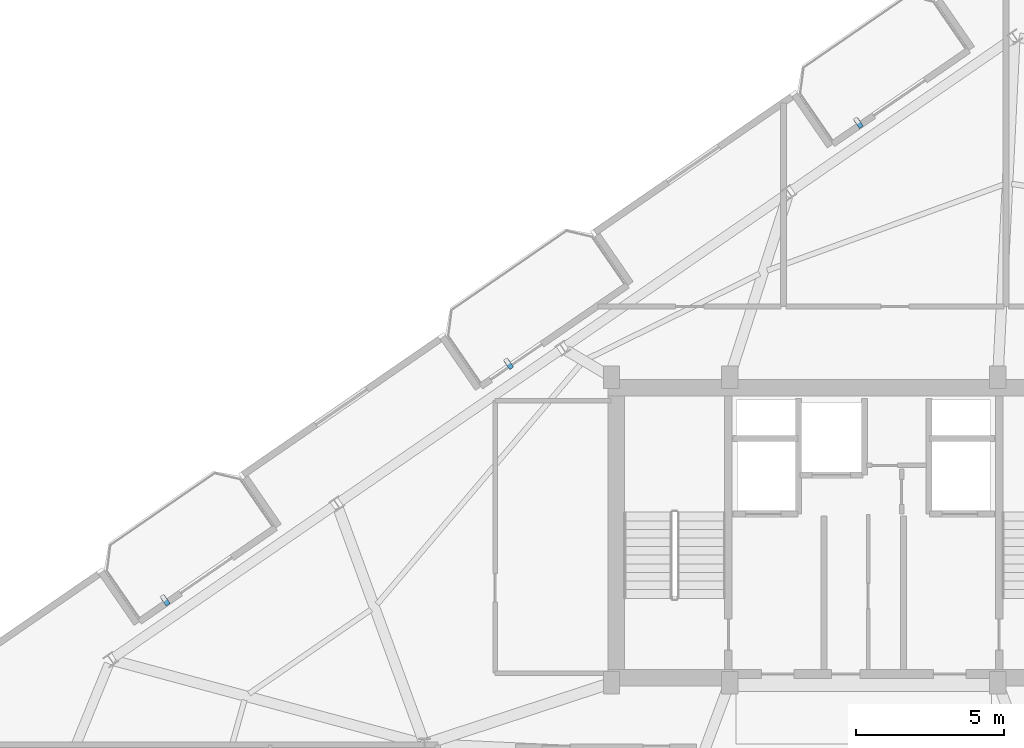
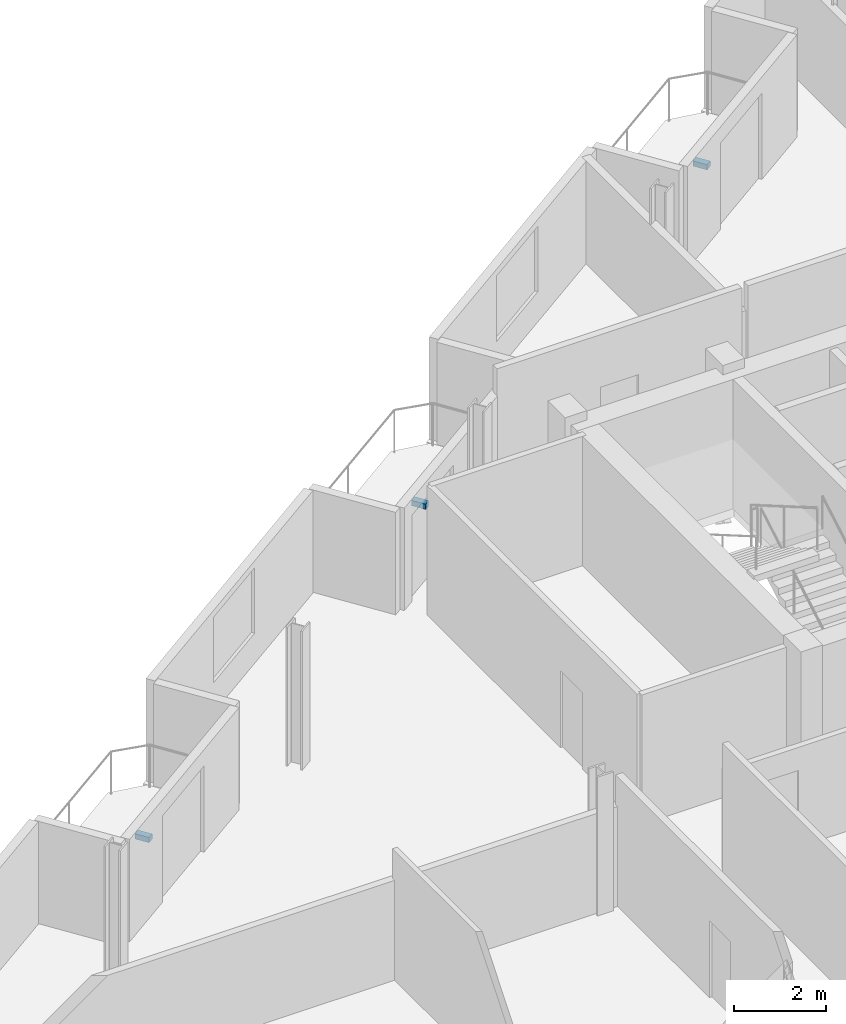
# One storey, part 18 of 21: 3 discrete accessories.
"""IFC4 building model written with IfcOpenShell, lengths in metres."""

from ifc_helpers import new_model, si_unit, direction, frame, origin, origin_2d, place, context, subcontext, project, spatial, rectangle, extrude, source, transform, mapped, material, type_object, element, save


model = new_model("IFC4")

# Units and contexts
model_context = context("Model", 3, precision=1e-05, world=origin(), true_north=direction((0.0, 1.0)))
body_context = subcontext(model_context, "Body", "Model", "MODEL_VIEW")
ifc_project = project(units=[si_unit("LENGTHUNIT", "METRE"), si_unit("AREAUNIT", "SQUARE_METRE"), si_unit("VOLUMEUNIT", "CUBIC_METRE"), si_unit("PLANEANGLEUNIT", "RADIAN"), si_unit("MASSUNIT", "GRAM", prefix="KILO")], contexts=[model_context])

# Site, building, storey
site_placement = place(None, origin())
site = spatial("IfcSite", under=ifc_project, at=site_placement, CompositionType="ELEMENT")
building_placement = place(site_placement, origin())
building = spatial("IfcBuilding", under=site, at=building_placement, Name="Varnelok Gate Tower", CompositionType="ELEMENT")
storey_placement = place(building_placement, frame((0.0, 0.0, 261.89990234375)))
storey = spatial("IfcBuildingStorey", under=building, at=storey_placement, Name="L67", CompositionType="ELEMENT", Elevation=261.89990234375)

# Discrete accessories
ifc_material = material(Name="Structural Steel ASTM A500 Grade C", Category="steel")
discrete_accessory_type = type_object("IfcDiscreteAccessoryType", Name="ACC-BAGUETTE-BRK", PredefinedType="BRACKET", material=ifc_material)
shared_shape = source(origin(), body_context, "Body", "SweptSolid", [
    extrude(rectangle(XDim=0.159912109375, YDim=0.340087890625, at=origin_2d()), origin(), (0.0, 0.0, 1.0), 0.139892578125),
])
for number, where, z_axis, x_axis, name in (
    (1, (15.66650390625, 31.517333984375, 1.97998046875), (0.0, 0.0, 1.0), (0.823532597628, 0.567268949127, 0.0), "L67 Terracotta Baguette Bracket 4.1"),
    (2, (27.240234375, 39.489501953125, 1.97998046875), (0.0, 0.0, 1.0), (0.823532597628, 0.567268949127, 0.0), "L67 Terracotta Baguette Bracket 5.1"),
    (3, (39.027587890625, 47.609130859375, 1.97998046875), (0.0, 0.0, 1.0), (0.823532597628, 0.567268949127, 0.0), "L67 Terracotta Baguette Bracket 6.1"),
):
    element("IfcDiscreteAccessory", number, at=place(storey_placement, frame(where, z_axis=z_axis, x_axis=x_axis)), inside=storey, type_object=discrete_accessory_type, Name=name, PredefinedType="BRACKET", context=body_context, shape_type="MappedRepresentation", body=[
        mapped(shared_shape, transform((0.0, 0.0, 0.0), scale=1.0)),
    ])

save(model, "model.ifc")
